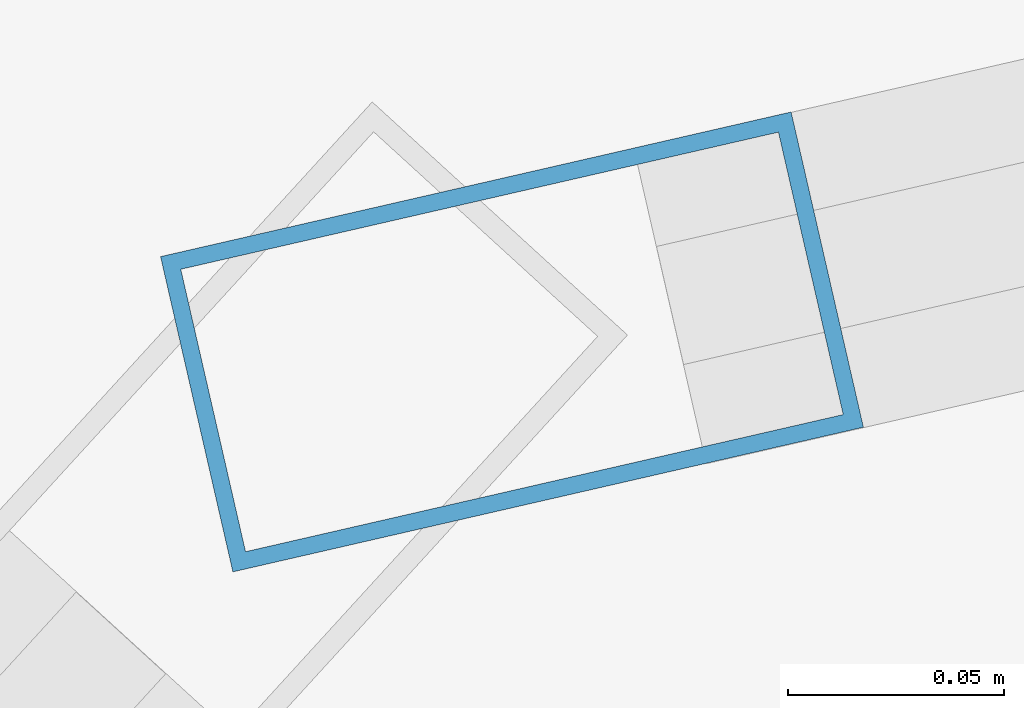
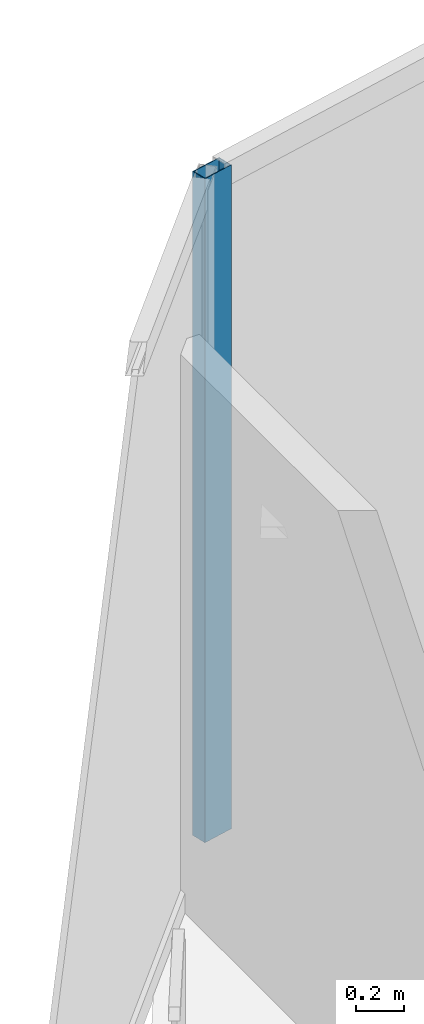
# One storey, part 19 of 34: 1 member, 1 element without a shape of its own.
"""IFC4 building model written with IfcOpenShell, lengths in metres."""

from ifc_helpers import new_model, si_unit, direction, frame, origin, origin_2d, place, context, subcontext, project, spatial, hollow_rectangle, extrude, material, layer, layer_set, material_profile, profile_set, type_object, element, aggregate, save


model = new_model("IFC4")

# Units and contexts
model_context = context("Model", 3, precision=1e-05, world=origin(), true_north=direction((0.0, 1.0)))
body_context = subcontext(model_context, "Body", "Model", "MODEL_VIEW")
ifc_project = project(units=[si_unit("LENGTHUNIT", "METRE"), si_unit("AREAUNIT", "SQUARE_METRE"), si_unit("VOLUMEUNIT", "CUBIC_METRE"), si_unit("PLANEANGLEUNIT", "RADIAN"), si_unit("MASSUNIT", "GRAM", prefix="KILO")], contexts=[model_context])

# Site, building, storey
site_placement = place(None, origin())
site = spatial("IfcSite", under=ifc_project, at=site_placement, CompositionType="ELEMENT")
building_placement = place(site_placement, origin())
building = spatial("IfcBuilding", under=site, at=building_placement, Name="Kazevale Care Tower and Concert Hall", CompositionType="ELEMENT")
storey_placement = place(building_placement, frame((0.0, 0.0, 167.39990234375)))
storey = spatial("IfcBuildingStorey", under=building, at=storey_placement, Name="L44", CompositionType="ELEMENT", Elevation=167.39990234375)

# Curtain wall, member
ifc_material_1 = material(Name="Aluminium 6063-T6 and Low-E Glass", Category="aluminium")
ifc_layer = layer(ifc_material_1, 0.179931640625)
ifc_layer_set = layer_set([ifc_layer], Name="Aluminium 6063-T6 and Low-E Glass")
curtain_wall_type = type_object("IfcCurtainWallType", Name="Convex Recessed Sunroom Curtain Wall CW-3", PredefinedType="NOTDEFINED", material=ifc_layer_set)
curtain_wall_placement = place(storey_placement, origin())
curtain_wall = element("IfcCurtainWall", 1, at=curtain_wall_placement, inside=storey, type_object=curtain_wall_type, Name="cw:L44:f15", PredefinedType="NOTDEFINED")
ifc_material_2 = material(Name="Aluminium 6063-T6", Category="aluminium")
ifc_material_profile = material_profile(ifc_material_2, hollow_rectangle(XDim=0.074951171875, YDim=0.14990234375, WallThickness=0.00390625, at=origin_2d()), Name="ALU75x150x4")
ifc_profile_set = profile_set([ifc_material_profile], Name="Aluminium 6063-T6")
member_type = type_object("IfcMemberType", Name="CW-3 Mullion ALU75x150x4", PredefinedType="MULLION", material=ifc_profile_set)
member_placement = place(storey_placement, frame((25.820556640625, 62.37841796875, 0.0), z_axis=(0.0, 0.0, 1.0), x_axis=(-0.223567329284, 0.974688488327, 0.0)))
member = element("IfcMember", 2, at=member_placement, type_object=member_type, Name="CW-3 mullion 1", PredefinedType="MULLION", context=body_context, shape_type="SweptSolid", body=[
    extrude(hollow_rectangle(XDim=0.074951171875, YDim=0.14990234375, WallThickness=0.00390625, at=origin_2d()), origin(), (0.0, 0.0, 1.0), 3.360107421875),
])
aggregate(curtain_wall, [member])

save(model, "model.ifc")
